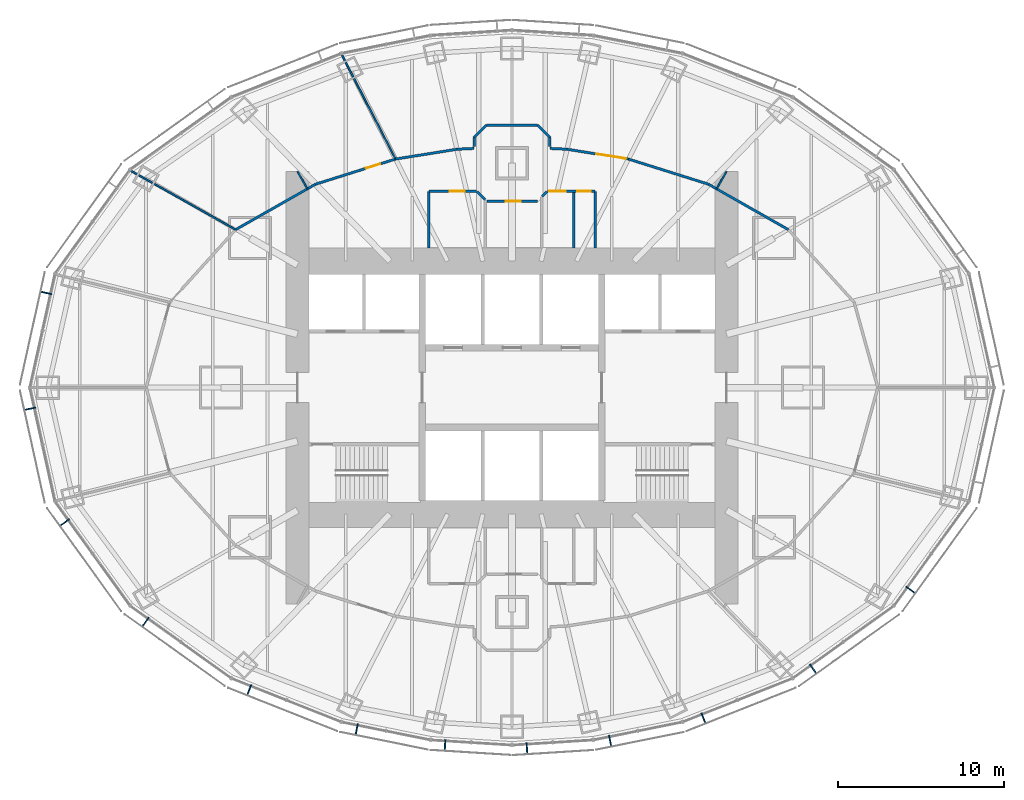
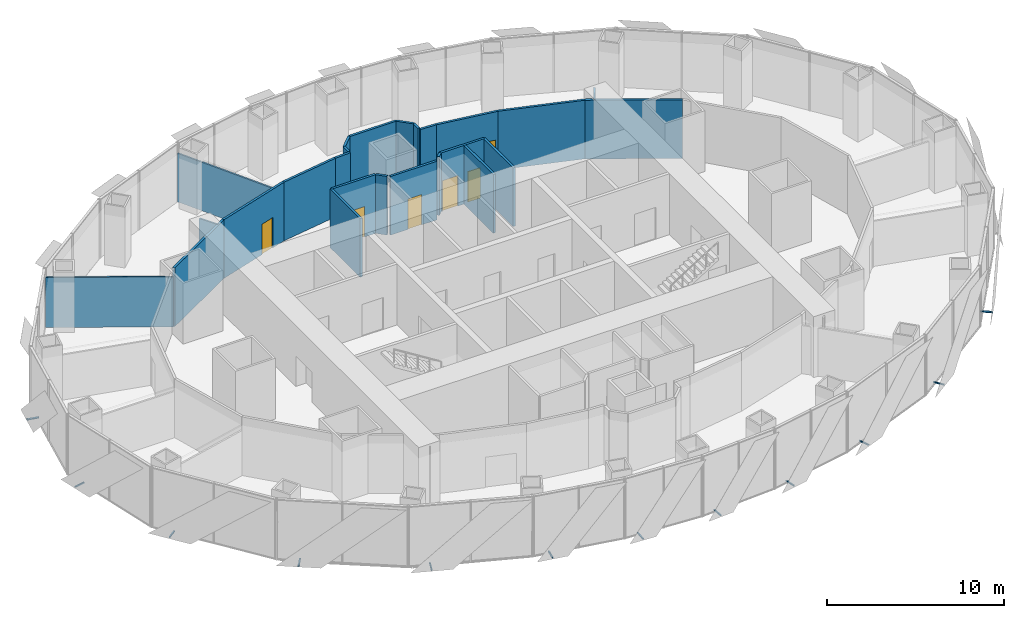
# One storey, part 13 of 17: 25 walls, 12 discrete accessories, 6 doors, 6 openings.
"""IFC4 building model written with IfcOpenShell, lengths in metres."""

from ifc_helpers import new_model, si_unit, direction, frame, frame_2d, origin, origin_2d, place, context, subcontext, project, spatial, rectangle, extrude, material, layer, layer_set, type_object, element, fill, save


model = new_model("IFC4")

# Units and contexts
model_context = context("Model", 3, precision=1e-05, world=origin(), true_north=direction((0.0, 1.0)))
body_context = subcontext(model_context, "Body", "Model", "MODEL_VIEW")
ifc_project = project(units=[si_unit("LENGTHUNIT", "METRE"), si_unit("AREAUNIT", "SQUARE_METRE"), si_unit("VOLUMEUNIT", "CUBIC_METRE"), si_unit("PLANEANGLEUNIT", "RADIAN"), si_unit("MASSUNIT", "GRAM", prefix="KILO")], contexts=[model_context])

# Site, building, storey
site_placement = place(None, origin())
site = spatial("IfcSite", under=ifc_project, at=site_placement, CompositionType="ELEMENT")
building_placement = place(site_placement, origin())
building = spatial("IfcBuilding", under=site, at=building_placement, Name="Lantaw Convention Tower", CompositionType="ELEMENT")
storey_placement = place(building_placement, frame((0.0, 0.0, 121.60009765625)))
storey = spatial("IfcBuildingStorey", under=building, at=storey_placement, Name="L28", CompositionType="ELEMENT", Elevation=121.60009765625)

# Walls
ifc_material_1 = material(Name="Gypsum board on steel studs, fire rated", Category="steel")
ifc_layer_1 = layer(ifc_material_1, 0.14990234375)
ifc_layer_set_1 = layer_set([ifc_layer_1], Name="Corridor wall 150 EI 60")
wall_type_1 = type_object("IfcWallType", Name="Corridor wall 150 EI 60", PredefinedType="PARTITIONING", material=ifc_layer_set_1)
wall_1_placement = place(storey_placement, frame((16.62255859375, 9.49853515625, 0.0), z_axis=(0.0, 0.0, 1.0), x_axis=(-0.869375991036, 0.494151177485, 0.0)))
element("IfcWall", 1, at=wall_1_placement, inside=storey, type_object=wall_type_1, Name="Corridor wall 150", PredefinedType="PARTITIONING", context=body_context, shape_type="SweptSolid", body=[
    extrude(rectangle(XDim=5.532470703125, YDim=0.14990234375, at=frame_2d((2.76611328125, 0.0))), origin(), (0.0, 0.0, 1.0), 4.0498046875),
])
wall_2_placement = place(storey_placement, frame((11.812744140625, 12.232421875, 0.0), z_axis=(0.0, 0.0, 1.0), x_axis=(-0.953893934057, 0.300143903101, 0.0)))
element("IfcWall", 2, at=wall_2_placement, inside=storey, type_object=wall_type_1, Name="Corridor wall 150", PredefinedType="PARTITIONING", context=body_context, shape_type="SweptSolid", body=[
    extrude(rectangle(XDim=5.04150390625, YDim=0.14990234375, at=frame_2d((2.520751953125, 0.0))), origin(), (0.0, 0.0, 1.0), 4.0498046875),
])

# Wall, opening, door
wall_3_placement = place(storey_placement, frame((7.003662109375, 13.74560546875, 0.0), z_axis=(0.0, 0.0, 1.0), x_axis=(-0.987511396594, 0.157547585181, 0.0)))
wall_3 = element("IfcWall", 3, at=wall_3_placement, inside=storey, type_object=wall_type_1, Name="Corridor wall 150", PredefinedType="PARTITIONING", context=body_context, shape_type="SweptSolid", body=[
    extrude(rectangle(XDim=3.74072265625, YDim=0.14990234375, at=frame_2d((1.870361328125, 0.0))), origin(), (0.0, 0.0, 1.0), 4.0498046875),
])
opening_1_placement = place(wall_3_placement, frame((0.14990234375, 0.0, 0.0)))
opening_1 = element("IfcOpeningElement", 4, at=opening_1_placement, cuts=wall_3, Name="Opening L28.22", PredefinedType="OPENING", context=body_context, shape_type="SweptSolid", body=[
    extrude(rectangle(XDim=1.800048828125, YDim=2.10009765625, at=frame_2d((0.89990234375, 1.050048828125))), frame((0.0, 0.0849609375, 0.0), z_axis=(0.0, -1.0, 0.0), x_axis=(1.0, 0.0, 0.0)), (0.0, 0.0, 1.0), 0.169921875),
])
ifc_material_2 = material(Name="Steel, fire rated", Category="steel")
door_type_1 = type_object("IfcDoorType", Name="Office double door 1800 FD30", OperationType="DOUBLE_DOOR_DOUBLE_SWING", PredefinedType="DOOR", material=ifc_material_2)
door_1_placement = place(opening_1_placement, origin())
door_1 = element("IfcDoor", 5, at=door_1_placement, inside=storey, type_object=door_type_1, Name="Contact-centre floor door", OperationType="DOUBLE_DOOR_DOUBLE_SWING", OverallHeight=2.10009765625, OverallWidth=1.800048828125, PredefinedType="DOOR", context=body_context, shape_type="SweptSolid", body=[
    extrude(rectangle(XDim=1.800048828125, YDim=2.10009765625, at=frame_2d((0.89990234375, 1.050048828125))), frame((0.0, 0.02490234375, 0.0), z_axis=(0.0, -1.0, 0.0), x_axis=(1.0, 0.0, 0.0)), (0.0, 0.0, 1.0), 0.050048828125),
])
fill(opening_1, door_1)

# Wall
wall_4_placement = place(storey_placement, frame((-3.3095703125, 14.3349609375, 0.0), z_axis=(0.0, 0.0, 1.0), x_axis=(-0.987511396594, -0.157547585181, 0.0)))
element("IfcWall", 6, at=wall_4_placement, inside=storey, type_object=wall_type_1, Name="Corridor wall 150", PredefinedType="PARTITIONING", context=body_context, shape_type="SweptSolid", body=[
    extrude(rectangle(XDim=3.74072265625, YDim=0.14990234375, at=frame_2d((1.870361328125, 0.0))), origin(), (0.0, 0.0, 1.0), 4.0498046875),
])

# Wall, opening, door
wall_5_placement = place(storey_placement, frame((-7.003662109375, 13.74560546875, 0.0), z_axis=(0.0, 0.0, 1.0), x_axis=(-0.953893934057, -0.300143903101, 0.0)))
wall_5 = element("IfcWall", 7, at=wall_5_placement, inside=storey, type_object=wall_type_1, Name="Corridor wall 150", PredefinedType="PARTITIONING", context=body_context, shape_type="SweptSolid", body=[
    extrude(rectangle(XDim=5.04150390625, YDim=0.14990234375, at=frame_2d((2.520751953125, 0.0))), origin(), (0.0, 0.0, 1.0), 4.0498046875),
])
opening_2_placement = place(wall_5_placement, frame((0.958740234375, 0.0, 0.0)))
opening_2 = element("IfcOpeningElement", 8, at=opening_2_placement, cuts=wall_5, Name="Opening L28.23", PredefinedType="OPENING", context=body_context, shape_type="SweptSolid", body=[
    extrude(rectangle(XDim=0.89990234375, YDim=2.10009765625, at=frame_2d((0.449951171875, 1.050048828125))), frame((0.0, 0.0849609375, 0.0), z_axis=(0.0, -1.0, 0.0), x_axis=(1.0, 0.0, 0.0)), (0.0, 0.0, 1.0), 0.169921875),
])
door_type_2 = type_object("IfcDoorType", Name="Office door 900 FD30", OperationType="SINGLE_SWING_LEFT", PredefinedType="DOOR", material=ifc_material_2)
door_2_placement = place(opening_2_placement, origin())
door_2 = element("IfcDoor", 9, at=door_2_placement, inside=storey, type_object=door_type_2, Name="Training room door", OperationType="SINGLE_SWING_LEFT", OverallHeight=2.10009765625, OverallWidth=0.89990234375, PredefinedType="DOOR", context=body_context, shape_type="SweptSolid", body=[
    extrude(rectangle(XDim=0.89990234375, YDim=2.10009765625, at=frame_2d((0.449951171875, 1.050048828125))), frame((0.0, 0.02490234375, 0.0), z_axis=(0.0, -1.0, 0.0), x_axis=(1.0, 0.0, 0.0)), (0.0, 0.0, 1.0), 0.050048828125),
])
fill(opening_2, door_2)

# Walls
wall_6_placement = place(storey_placement, frame((-11.812744140625, 12.232421875, 0.0), z_axis=(0.0, 0.0, 1.0), x_axis=(-0.869375991036, -0.494151177485, 0.0)))
element("IfcWall", 10, at=wall_6_placement, inside=storey, type_object=wall_type_1, Name="Corridor wall 150", PredefinedType="PARTITIONING", context=body_context, shape_type="SweptSolid", body=[
    extrude(rectangle(XDim=5.532470703125, YDim=0.14990234375, at=frame_2d((2.76611328125, 0.0))), origin(), (0.0, 0.0, 1.0), 4.0498046875),
])
for number, where, z_axis, x_axis, name in (
    (11, (3.3095703125, 14.3349609375, 0.0), (0.0, 0.0, 1.0), (-0.998761909217, 0.049745841003, 0.0), "Corridor wall 150"),
    (12, (-2.294921875, 14.385498046875, 0.0), (0.0, 0.0, 1.0), (-0.998761909217, -0.049745841003, 0.0), "Corridor wall 150"),
):
    element("IfcWall", number, at=place(storey_placement, frame(where, z_axis=z_axis, x_axis=x_axis)), inside=storey, type_object=wall_type_1, Name=name, PredefinedType="PARTITIONING", context=body_context, shape_type="SweptSolid", body=[
        extrude(rectangle(XDim=1.015869140625, YDim=0.14990234375, at=frame_2d((0.5078125, 0.0))), origin(), (0.0, 0.0, 1.0), 4.0498046875),
    ])
wall_7_placement = place(storey_placement, frame((-2.284912109375, 14.487060546875, 0.0), z_axis=(0.0, 0.0, 1.0), x_axis=(0.0, 1.0, 0.0)))
element("IfcWall", 13, at=wall_7_placement, inside=storey, type_object=wall_type_1, Name="Corridor wall 150", PredefinedType="PARTITIONING", context=body_context, shape_type="SweptSolid", body=[
    extrude(rectangle(XDim=0.545166015625, YDim=0.14990234375, at=frame_2d((0.2724609375, 0.0))), origin(), (0.0, 0.0, 1.0), 4.0498046875),
])
wall_8_placement = place(storey_placement, frame((-2.284912109375, 15.0322265625, 0.0), z_axis=(0.0, 0.0, 1.0), x_axis=(0.707106781187, 0.707106781187, 0.0)))
element("IfcWall", 14, at=wall_8_placement, inside=storey, type_object=wall_type_1, Name="Corridor wall 150", PredefinedType="PARTITIONING", context=body_context, shape_type="SweptSolid", body=[
    extrude(rectangle(XDim=1.064453125, YDim=0.14990234375, at=frame_2d((0.5322265625, 0.0))), origin(), (0.0, 0.0, 1.0), 4.0498046875),
])
wall_9_placement = place(storey_placement, frame((-1.5322265625, 15.784912109375, 0.0), z_axis=(0.0, 0.0, 1.0), x_axis=(1.0, 0.0, 0.0)))
element("IfcWall", 15, at=wall_9_placement, inside=storey, type_object=wall_type_1, Name="Corridor wall 150", PredefinedType="PARTITIONING", context=body_context, shape_type="SweptSolid", body=[
    extrude(rectangle(XDim=3.064453125, YDim=0.14990234375, at=frame_2d((1.5322265625, 0.0))), origin(), (0.0, 0.0, 1.0), 4.0498046875),
])
wall_10_placement = place(storey_placement, frame((1.5322265625, 15.784912109375, 0.0), z_axis=(0.0, 0.0, 1.0), x_axis=(0.707106781187, -0.707106781187, 0.0)))
element("IfcWall", 16, at=wall_10_placement, inside=storey, type_object=wall_type_1, Name="Corridor wall 150", PredefinedType="PARTITIONING", context=body_context, shape_type="SweptSolid", body=[
    extrude(rectangle(XDim=1.064453125, YDim=0.14990234375, at=frame_2d((0.5322265625, 0.0))), origin(), (0.0, 0.0, 1.0), 4.0498046875),
])
wall_11_placement = place(storey_placement, frame((2.284912109375, 15.0322265625, 0.0), z_axis=(0.0, 0.0, 1.0), x_axis=(0.0, -1.0, 0.0)))
element("IfcWall", 17, at=wall_11_placement, inside=storey, type_object=wall_type_1, Name="Corridor wall 150", PredefinedType="PARTITIONING", context=body_context, shape_type="SweptSolid", body=[
    extrude(rectangle(XDim=0.545166015625, YDim=0.14990234375, at=frame_2d((0.2724609375, 0.0))), origin(), (0.0, 0.0, 1.0), 4.0498046875),
])
ifc_material_3 = material(Name="Gypsum board on steel studs, acoustic", Category="steel")
ifc_layer_2 = layer(ifc_material_3, 0.10009765625)
ifc_layer_set_2 = layer_set([ifc_layer_2], Name="Office partition 100")
wall_type_2 = type_object("IfcWallType", Name="Office partition 100", PredefinedType="PARTITIONING", material=ifc_layer_set_2)
wall_12_placement = place(storey_placement, frame((-10.25341796875, 20.0517578125, 0.0), z_axis=(0.0, 0.0, 1.0), x_axis=(0.458082677592, -0.888909590729, 0.0)))
element("IfcWall", 18, at=wall_12_placement, inside=storey, type_object=wall_type_2, Name="Office partition 100", PredefinedType="PARTITIONING", context=body_context, shape_type="SweptSolid", body=[
    extrude(rectangle(XDim=7.09423828125, YDim=0.10009765625, at=frame_2d((3.547119140625, 0.0))), origin(), (0.0, 0.0, 1.0), 3.348876953125),
])
wall_13_placement = place(storey_placement, frame((-22.94921875, 13.058837890625, 0.0), z_axis=(0.0, 0.0, 1.0), x_axis=(0.871483913002, -0.490424091352, 0.0)))
element("IfcWall", 19, at=wall_13_placement, inside=storey, type_object=wall_type_2, Name="Office partition 100", PredefinedType="PARTITIONING", context=body_context, shape_type="SweptSolid", body=[
    extrude(rectangle(XDim=7.259521484375, YDim=0.10009765625, at=frame_2d((3.6298828125, 0.0))), origin(), (0.0, 0.0, 1.0), 3.450439453125),
])
for number, where, z_axis, x_axis, name in (
    (20, (12.89990234375, 13.0, 0.0), (0.0, 0.0, 1.0), (-0.494173075358, -0.869363543974, 0.0), "Office partition 100"),
    (21, (-12.89990234375, 13.0, 0.0), (0.0, 0.0, 1.0), (0.494173075358, -0.869363543974, 0.0), "Office partition 100"),
):
    element("IfcWall", number, at=place(storey_placement, frame(where, z_axis=z_axis, x_axis=x_axis)), inside=storey, type_object=wall_type_2, Name=name, PredefinedType="PARTITIONING", context=body_context, shape_type="SweptSolid", body=[
        extrude(rectangle(XDim=1.204345703125, YDim=0.10009765625, at=frame_2d((0.60205078125, 0.0))), origin(), (0.0, 0.0, 1.0), 4.0498046875),
    ])
ifc_material_4 = material(Name="Concrete blockwork", Category="masonry")
ifc_layer_3 = layer(ifc_material_4, 0.14990234375)
ifc_layer_set_3 = layer_set([ifc_layer_3], Name="WC wall 150")
wall_type_3 = type_object("IfcWallType", Name="WC wall 150", PredefinedType="SOLIDWALL", material=ifc_layer_set_3)
for number, where, z_axis, x_axis, name in (
    (22, (-5.0, 8.39990234375, 0.0), (0.0, 0.0, 1.0), (0.0, 1.0, 0.0), "WC wall 150"),
    (23, (5.0, 8.39990234375, 0.0), (0.0, 0.0, 1.0), (0.0, 1.0, 0.0), "WC wall 150"),
    (24, (3.699951171875, 8.39990234375, 0.0), (0.0, 0.0, 1.0), (0.0, 1.0, 0.0), "WC wall 150"),
):
    element("IfcWall", number, at=place(storey_placement, frame(where, z_axis=z_axis, x_axis=x_axis)), inside=storey, type_object=wall_type_3, Name=name, PredefinedType="SOLIDWALL", context=body_context, shape_type="SweptSolid", body=[
        extrude(rectangle(XDim=3.400146484375, YDim=0.14990234375, at=frame_2d((1.7001953125, 0.0))), origin(), (0.0, 0.0, 1.0), 4.0498046875),
    ])

# Wall, opening, door
wall_14_placement = place(storey_placement, frame((-5.0, 11.800048828125, 0.0), z_axis=(0.0, 0.0, 1.0), x_axis=(1.0, 0.0, 0.0)))
wall_14 = element("IfcWall", 25, at=wall_14_placement, inside=storey, type_object=wall_type_3, Name="WC wall 150", PredefinedType="SOLIDWALL", context=body_context, shape_type="SweptSolid", body=[
    extrude(rectangle(XDim=2.86865234375, YDim=0.14990234375, at=frame_2d((1.434326171875, 0.0))), origin(), (0.0, 0.0, 1.0), 4.0498046875),
])
opening_3_placement = place(wall_14_placement, frame((1.25, 0.0, 0.0)))
opening_3 = element("IfcOpeningElement", 26, at=opening_3_placement, cuts=wall_14, Name="Opening L28.14", PredefinedType="OPENING", context=body_context, shape_type="SweptSolid", body=[
    extrude(rectangle(XDim=0.89990234375, YDim=2.10009765625, at=frame_2d((0.449951171875, 1.050048828125))), frame((0.0, 0.0849609375, 0.0), z_axis=(0.0, -1.0, 0.0), x_axis=(1.0, 0.0, 0.0)), (0.0, 0.0, 1.0), 0.169921875),
])
ifc_material_5 = material(Name="Timber", Category="wood")
door_type_3 = type_object("IfcDoorType", Name="WC door 900", OperationType="SINGLE_SWING_LEFT", PredefinedType="DOOR", material=ifc_material_5)
door_3_placement = place(opening_3_placement, origin())
door_3 = element("IfcDoor", 27, at=door_3_placement, inside=storey, type_object=door_type_3, Name="Female WC door", OperationType="SINGLE_SWING_LEFT", OverallHeight=2.10009765625, OverallWidth=0.89990234375, PredefinedType="DOOR", context=body_context, shape_type="SweptSolid", body=[
    extrude(rectangle(XDim=0.89990234375, YDim=2.10009765625, at=frame_2d((0.449951171875, 1.050048828125))), frame((0.0, 0.02490234375, 0.0), z_axis=(0.0, -1.0, 0.0), x_axis=(1.0, 0.0, 0.0)), (0.0, 0.0, 1.0), 0.050048828125),
])
fill(opening_3, door_3)

# Wall, openings, doors
wall_15_placement = place(storey_placement, frame((2.13134765625, 11.800048828125, 0.0), z_axis=(0.0, 0.0, 1.0), x_axis=(1.0, 0.0, 0.0)))
wall_15 = element("IfcWall", 28, at=wall_15_placement, inside=storey, type_object=wall_type_3, Name="WC wall 150", PredefinedType="SOLIDWALL", context=body_context, shape_type="SweptSolid", body=[
    extrude(rectangle(XDim=2.86865234375, YDim=0.14990234375, at=frame_2d((1.434326171875, 0.0))), origin(), (0.0, 0.0, 1.0), 4.0498046875),
])
opening_4_placement = place(wall_15_placement, frame((0.10009765625, 0.0, 0.0)))
opening_4 = element("IfcOpeningElement", 29, at=opening_4_placement, cuts=wall_15, Name="Opening L28.16", PredefinedType="OPENING", context=body_context, shape_type="SweptSolid", body=[
    extrude(rectangle(XDim=1.0, YDim=2.10009765625, at=frame_2d((0.5, 1.050048828125))), frame((0.0, 0.0849609375, 0.0), z_axis=(0.0, -1.0, 0.0), x_axis=(1.0, 0.0, 0.0)), (0.0, 0.0, 1.0), 0.169921875),
])
opening_5_placement = place(wall_15_placement, frame((1.800048828125, 0.0, 0.0)))
opening_5 = element("IfcOpeningElement", 30, at=opening_5_placement, cuts=wall_15, Name="Opening L28.17", PredefinedType="OPENING", context=body_context, shape_type="SweptSolid", body=[
    extrude(rectangle(XDim=0.800048828125, YDim=2.10009765625, at=frame_2d((0.39990234375, 1.050048828125))), frame((0.0, 0.0849609375, 0.0), z_axis=(0.0, -1.0, 0.0), x_axis=(1.0, 0.0, 0.0)), (0.0, 0.0, 1.0), 0.169921875),
])
door_type_4 = type_object("IfcDoorType", Name="Accessible WC door 1000", OperationType="SINGLE_SWING_LEFT", PredefinedType="DOOR", material=ifc_material_5)
door_4_placement = place(opening_4_placement, origin())
door_4 = element("IfcDoor", 31, at=door_4_placement, inside=storey, type_object=door_type_4, Name="Accessible WC door", OperationType="SINGLE_SWING_LEFT", OverallHeight=2.10009765625, OverallWidth=1.0, PredefinedType="DOOR", context=body_context, shape_type="SweptSolid", body=[
    extrude(rectangle(XDim=1.0, YDim=2.10009765625, at=frame_2d((0.5, 1.050048828125))), frame((0.0, 0.02490234375, 0.0), z_axis=(0.0, -1.0, 0.0), x_axis=(1.0, 0.0, 0.0)), (0.0, 0.0, 1.0), 0.050048828125),
])
fill(opening_4, door_4)
door_type_5 = type_object("IfcDoorType", Name="WC door 800", OperationType="SINGLE_SWING_LEFT", PredefinedType="DOOR", material=ifc_material_5)
door_5_placement = place(opening_5_placement, origin())
door_5 = element("IfcDoor", 32, at=door_5_placement, inside=storey, type_object=door_type_5, Name="Cleaner's store door", OperationType="SINGLE_SWING_LEFT", OverallHeight=2.10009765625, OverallWidth=0.800048828125, PredefinedType="DOOR", context=body_context, shape_type="SweptSolid", body=[
    extrude(rectangle(XDim=0.800048828125, YDim=2.10009765625, at=frame_2d((0.39990234375, 1.050048828125))), frame((0.0, 0.02490234375, 0.0), z_axis=(0.0, -1.0, 0.0), x_axis=(1.0, 0.0, 0.0)), (0.0, 0.0, 1.0), 0.050048828125),
])
fill(opening_5, door_5)

# Wall
wall_16_placement = place(storey_placement, frame((-1.615966796875, 11.298583984375, 0.0), z_axis=(0.0, 0.0, 1.0), x_axis=(-0.706928959799, 0.707284557867, 0.0)))
element("IfcWall", 33, at=wall_16_placement, inside=storey, type_object=wall_type_3, Name="WC wall 150", PredefinedType="SOLIDWALL", context=body_context, shape_type="SweptSolid", body=[
    extrude(rectangle(XDim=0.6865234375, YDim=0.14990234375, at=frame_2d((0.34326171875, 0.0))), origin(), (0.0, 0.0, 1.0), 4.0498046875),
])

# Wall, opening, door
wall_17_placement = place(storey_placement, frame((1.5322265625, 11.215087890625, 0.0), z_axis=(0.0, 0.0, 1.0), x_axis=(-1.0, 0.0, 0.0)))
wall_17 = element("IfcWall", 34, at=wall_17_placement, inside=storey, type_object=wall_type_3, Name="WC wall 150", PredefinedType="SOLIDWALL", context=body_context, shape_type="SweptSolid", body=[
    extrude(rectangle(XDim=3.02734375, YDim=0.14990234375, at=frame_2d((1.513671875, 0.0))), origin(), (0.0, 0.0, 1.0), 4.0498046875),
])
opening_6_placement = place(wall_17_placement, frame((1.0, 0.0, 0.0)))
opening_6 = element("IfcOpeningElement", 35, at=opening_6_placement, cuts=wall_17, Name="Opening L28.15", PredefinedType="OPENING", context=body_context, shape_type="SweptSolid", body=[
    extrude(rectangle(XDim=0.89990234375, YDim=2.10009765625, at=frame_2d((0.449951171875, 1.050048828125))), frame((0.0, 0.0849609375, 0.0), z_axis=(0.0, -1.0, 0.0), x_axis=(1.0, 0.0, 0.0)), (0.0, 0.0, 1.0), 0.169921875),
])
door_6_placement = place(opening_6_placement, origin())
door_6 = element("IfcDoor", 36, at=door_6_placement, inside=storey, type_object=door_type_3, Name="Male WC door", OperationType="SINGLE_SWING_LEFT", OverallHeight=2.10009765625, OverallWidth=0.89990234375, PredefinedType="DOOR", context=body_context, shape_type="SweptSolid", body=[
    extrude(rectangle(XDim=0.89990234375, YDim=2.10009765625, at=frame_2d((0.449951171875, 1.050048828125))), frame((0.0, 0.02490234375, 0.0), z_axis=(0.0, -1.0, 0.0), x_axis=(1.0, 0.0, 0.0)), (0.0, 0.0, 1.0), 0.050048828125),
])
fill(opening_6, door_6)

# Wall
wall_18_placement = place(storey_placement, frame((2.101318359375, 11.7841796875, 0.0), z_axis=(0.0, 0.0, 1.0), x_axis=(-0.706804405012, -0.707409028113, 0.0)))
element("IfcWall", 37, at=wall_18_placement, inside=storey, type_object=wall_type_3, Name="WC wall 150", PredefinedType="SOLIDWALL", context=body_context, shape_type="SweptSolid", body=[
    extrude(rectangle(XDim=0.40380859375, YDim=0.14990234375, at=frame_2d((0.201904296875, 0.0))), origin(), (0.0, 0.0, 1.0), 4.0498046875),
])

# Discrete accessories
for number, where, z_axis, x_axis, name in (
    (38, (-28.008056640625, 5.6953125, -0.115234375), (0.0, 0.0, 1.0), (-0.215546166174, -0.9764936509, 0.0), "Screen bracket"),
    (39, (-28.98486328125, -1.269775390625, -0.115234375), (0.0, 0.0, 1.0), (0.215546166174, -0.9764936509, 0.0), "Screen bracket"),
    (40, (-26.900146484375, -8.111572265625, -0.115234375), (0.0, 0.0, 1.0), (0.584512597221, -0.811384633629, 0.0), "Screen bracket"),
    (41, (-22.044189453125, -14.10546875, -0.115234375), (0.0, 0.0, 1.0), (0.813208325995, -0.581972695693, 0.0), "Screen bracket"),
    (42, (-15.802978515625, -18.18798828125, -0.115234375), (0.0, 0.0, 1.0), (0.929547687544, -0.368701907483, 0.0), "Screen bracket"),
    (43, (-9.339599609375, -20.56005859375, -0.115234375), (0.0, 0.0, 1.0), (0.980301514912, -0.197506809659, 0.0), "Screen bracket"),
    (44, (-4.027099609375, -21.505859375, -0.115234375), (0.0, 0.0, 1.0), (0.998022035978, -0.062865059466, 0.0), "Screen bracket"),
    (45, (0.89794921875, -21.702880859375, -0.115234375), (0.0, 0.0, 1.0), (0.998022035978, 0.062865059466, 0.0), "Screen bracket"),
    (46, (5.903076171875, -21.25244140625, -0.115234375), (0.0, 0.0, 1.0), (0.980301514912, 0.197506809659, 0.0), "Screen bracket"),
    (47, (11.517822265625, -19.887939453125, -0.115234375), (0.0, 0.0, 1.0), (0.929547687544, 0.368701907483, 0.0), "Screen bracket"),
    (48, (18.10791015625, -16.922607421875, -0.115234375), (0.0, 0.0, 1.0), (0.813208325995, 0.581972695693, 0.0), "Screen bracket"),
    (49, (23.9765625, -12.169677734375, -0.115234375), (0.0, 0.0, 1.0), (0.584512597221, 0.811384633629, 0.0), "Screen bracket"),
):
    element("IfcDiscreteAccessory", number, at=place(storey_placement, frame(where, z_axis=z_axis, x_axis=x_axis)), inside=storey, Name=name, PredefinedType="BRACKET", context=body_context, shape_type="SweptSolid", body=[
        extrude(rectangle(XDim=0.080078125, YDim=0.68798828125, at=origin_2d()), origin(), (0.0, 0.0, 1.0), 0.080078125),
    ])

save(model, "model.ifc")
